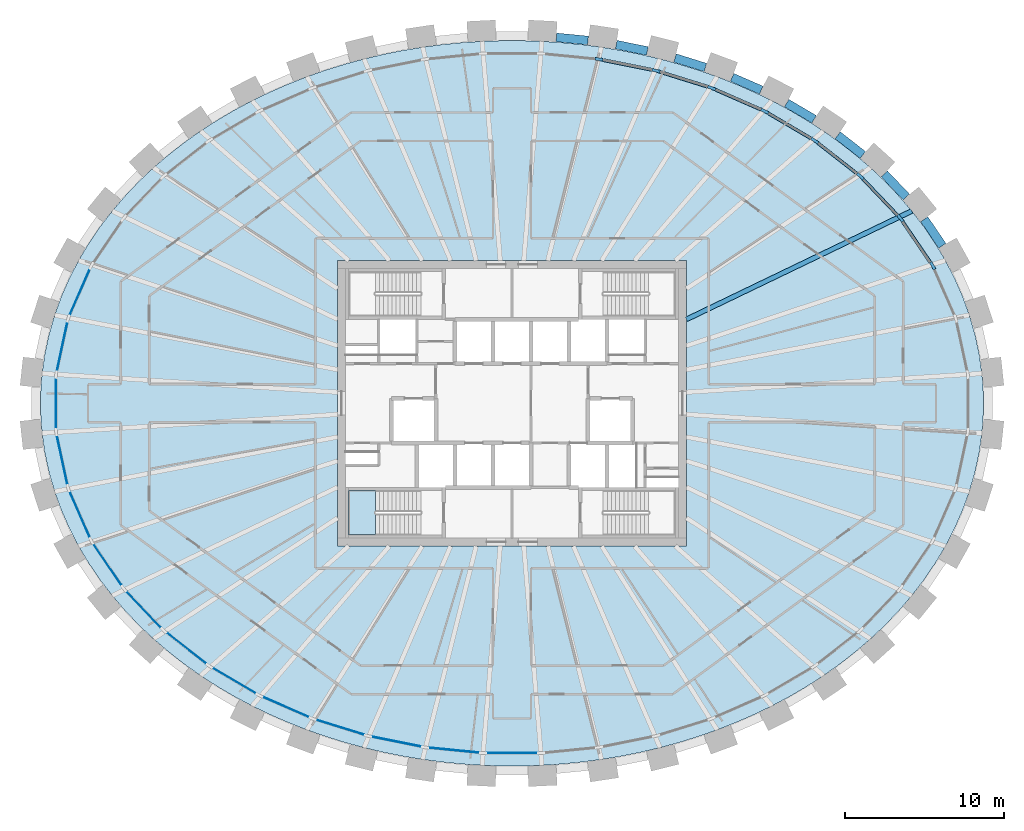
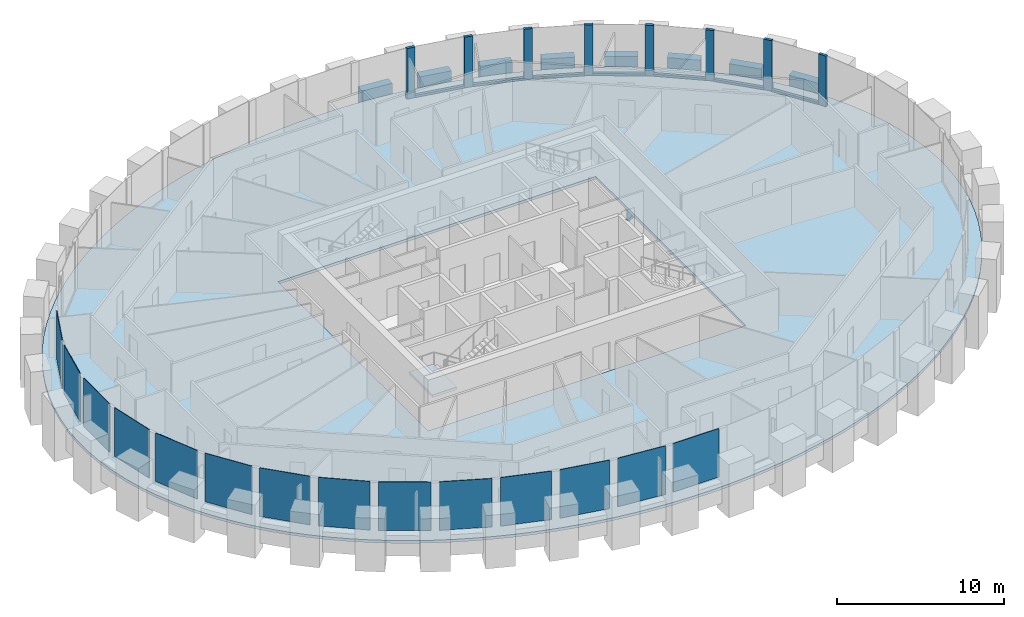
# One storey, part 4 of 12: 15 members, 14 plates, 9 beams, 2 slabs, 2 elements without a shape of their own.
"""IFC4 building model written with IfcOpenShell, lengths in metres."""

from ifc_helpers import new_model, si_unit, direction, frame, origin, origin_2d, place, context, subcontext, project, spatial, polyline, rectangle, i_section, outline, extrude, source, transform, mapped, material, layer, layer_set, material_profile, profile_set, type_object, element, aggregate, save


model = new_model("IFC4")

# Units and contexts
model_context = context("Model", 3, precision=1e-05, world=origin(), true_north=direction((0.0, 1.0)))
body_context = subcontext(model_context, "Body", "Model", "MODEL_VIEW")
ifc_project = project(units=[si_unit("LENGTHUNIT", "METRE"), si_unit("AREAUNIT", "SQUARE_METRE"), si_unit("VOLUMEUNIT", "CUBIC_METRE"), si_unit("PLANEANGLEUNIT", "RADIAN"), si_unit("MASSUNIT", "GRAM", prefix="KILO")], contexts=[model_context])

# Site, building, storey
site_placement = place(None, origin())
site = spatial("IfcSite", under=ifc_project, at=site_placement, CompositionType="ELEMENT")
building_placement = place(site_placement, origin())
building = spatial("IfcBuilding", under=site, at=building_placement, Name="Embergate Tower", CompositionType="ELEMENT")
storey_placement = place(building_placement, frame((0.0, 0.0, 313.0)))
storey = spatial("IfcBuildingStorey", under=building, at=storey_placement, Name="L73", CompositionType="ELEMENT", Elevation=313.0)

# Beams
ifc_material_1 = material(Name="Concrete C50", Category="concrete")
ifc_material_profile_1 = material_profile(ifc_material_1, rectangle(XDim=0.550048828125, YDim=1.5, at=origin_2d()), Name="RC 550x1500")
ifc_profile_set_1 = profile_set([ifc_material_profile_1], Name="Concrete C50")
beam_type_1 = type_object("IfcBeamType", Name="Spandrel beam RC 550x1500 C50", PredefinedType="BEAM", material=ifc_profile_set_1)
shared_shape_1 = source(origin(), body_context, "Body", "SweptSolid", [
    extrude(rectangle(XDim=0.550048828125, YDim=1.5, at=origin_2d()), origin(), (0.0, 0.0, 1.0), 2.02392578125),
])
beam_1_placement = place(storey_placement, frame((27.137939453125, 9.93505859375, 0.0), z_axis=(-0.562220937061, 0.826987072408, 0.0), x_axis=(-0.826987072408, -0.562220937061, 0.0)))
element("IfcBeam", 1, at=beam_1_placement, inside=storey, type_object=beam_type_1, Name="SPN-L73-02", PredefinedType="BEAM", context=body_context, shape_type="MappedRepresentation", body=[
    mapped(shared_shape_1, transform((0.0, 0.0, 0.0))),
])
shared_shape_2 = source(origin(), body_context, "Body", "SweptSolid", [
    extrude(rectangle(XDim=0.550048828125, YDim=1.5, at=origin_2d()), origin(), (0.0, 0.0, 1.0), 2.0185546875),
])
beam_2_placement = place(storey_placement, frame((24.868896484375, 13.009033203125, 0.0), z_axis=(-0.690032605045, 0.723778283714, 0.0), x_axis=(-0.723778283714, -0.690032605045, 0.0)))
element("IfcBeam", 2, at=beam_2_placement, inside=storey, type_object=beam_type_1, Name="SPN-L73-03", PredefinedType="BEAM", context=body_context, shape_type="MappedRepresentation", body=[
    mapped(shared_shape_2, transform((0.0, 0.0, 0.0))),
])
shared_shape_3 = source(origin(), body_context, "Body", "SweptSolid", [
    extrude(rectangle(XDim=0.550048828125, YDim=1.5, at=origin_2d()), origin(), (0.0, 0.0, 1.0), 2.011962890625),
])
beam_3_placement = place(storey_placement, frame((22.1279296875, 15.6640625, 0.0), z_axis=(-0.788259795351, 0.615342583471, 0.0), x_axis=(-0.615342583471, -0.788259795351, 0.0)))
element("IfcBeam", 3, at=beam_3_placement, inside=storey, type_object=beam_type_1, Name="SPN-L73-04", PredefinedType="BEAM", context=body_context, shape_type="MappedRepresentation", body=[
    mapped(shared_shape_3, transform((0.0, 0.0, 0.0))),
])
shared_shape_4 = source(origin(), body_context, "Body", "SweptSolid", [
    extrude(rectangle(XDim=0.550048828125, YDim=1.5, at=origin_2d()), origin(), (0.0, 0.0, 1.0), 2.008056640625),
])
beam_4_placement = place(storey_placement, frame((19.052978515625, 17.9140625, 0.0), z_axis=(-0.86201859197, 0.506876658663, 0.0), x_axis=(-0.506876658663, -0.86201859197, 0.0)))
element("IfcBeam", 4, at=beam_4_placement, inside=storey, type_object=beam_type_1, Name="SPN-L73-05", PredefinedType="BEAM", context=body_context, shape_type="MappedRepresentation", body=[
    mapped(shared_shape_4, transform((0.0, 0.0, 0.0))),
])
shared_shape_5 = source(origin(), body_context, "Body", "SweptSolid", [
    extrude(rectangle(XDim=0.550048828125, YDim=1.5, at=origin_2d()), origin(), (0.0, 0.0, 1.0), 2.0068359375),
])
beam_5_placement = place(storey_placement, frame((15.718994140625, 19.75, 0.0), z_axis=(-0.916455842534, 0.400135837793, 0.0), x_axis=(-0.400135837793, -0.916455842534, 0.0)))
element("IfcBeam", 5, at=beam_5_placement, inside=storey, type_object=beam_type_1, Name="SPN-L73-06", PredefinedType="BEAM", context=body_context, shape_type="MappedRepresentation", body=[
    mapped(shared_shape_5, transform((0.0, 0.0, 0.0))),
])
shared_shape_6 = source(origin(), body_context, "Body", "SweptSolid", [
    extrude(rectangle(XDim=0.550048828125, YDim=1.5, at=origin_2d()), origin(), (0.0, 0.0, 1.0), 2.0048828125),
])
beam_6_placement = place(storey_placement, frame((12.194091796875, 21.181884765625, 0.0), z_axis=(-0.954756929567, 0.297387298725, 0.0), x_axis=(-0.297387298725, -0.954756929567, 0.0)))
element("IfcBeam", 6, at=beam_6_placement, inside=storey, type_object=beam_type_1, Name="SPN-L73-07", PredefinedType="BEAM", context=body_context, shape_type="MappedRepresentation", body=[
    mapped(shared_shape_6, transform((0.0, 0.0, 0.0))),
])
shared_shape_7 = source(origin(), body_context, "Body", "SweptSolid", [
    extrude(rectangle(XDim=0.550048828125, YDim=1.5, at=origin_2d()), origin(), (0.0, 0.0, 1.0), 2.003173828125),
])
beam_7_placement = place(storey_placement, frame((8.535888671875, 22.222900390625, 0.0), z_axis=(-0.980364457571, 0.197194143753, 0.0), x_axis=(-0.197194143753, -0.980364457571, 0.0)))
element("IfcBeam", 7, at=beam_7_placement, inside=storey, type_object=beam_type_1, Name="SPN-L73-08", PredefinedType="BEAM", context=body_context, shape_type="MappedRepresentation", body=[
    mapped(shared_shape_7, transform((0.0, 0.0, 0.0))),
])
shared_shape_8 = source(origin(), body_context, "Body", "SweptSolid", [
    extrude(rectangle(XDim=0.550048828125, YDim=1.5, at=origin_2d()), origin(), (0.0, 0.0, 1.0), 2.00341796875),
])
beam_8_placement = place(storey_placement, frame((4.7919921875, 22.883056640625, 0.0), z_axis=(-0.995201107697, 0.097850678276, 0.0), x_axis=(-0.097850678276, -0.995201107697, 0.0)))
element("IfcBeam", 8, at=beam_8_placement, inside=storey, type_object=beam_type_1, Name="SPN-L73-09", PredefinedType="BEAM", context=body_context, shape_type="MappedRepresentation", body=[
    mapped(shared_shape_8, transform((0.0, 0.0, 0.0))),
])
ifc_material_2 = material(Name="Steel Q355B", Category="steel")
ifc_material_profile_2 = material_profile(ifc_material_2, i_section(OverallWidth=0.300048828125, OverallDepth=0.800048828125, WebThickness=0.013916015625, FlangeThickness=0.02587890625, FilletRadius=0.028076171875, at=origin_2d()), Name="HN 800x300x14x26")
ifc_profile_set_2 = profile_set([ifc_material_profile_2], Name="Steel Q355 grade B")
beam_type_2 = type_object("IfcBeamType", Name="Radial girder HN 800x300x14x26", PredefinedType="BEAM", material=ifc_profile_set_2)
shared_shape_9 = source(origin(), body_context, "Body", "SweptSolid", [
    extrude(i_section(OverallWidth=0.300048828125, OverallDepth=0.800048828125, WebThickness=0.013916015625, FlangeThickness=0.02587890625, FilletRadius=0.028076171875, at=origin_2d()), origin(), (0.0, 0.0, 1.0), 15.775634765625),
])
beam_9_placement = place(storey_placement, frame((25.216064453125, 12.131103515625, -0.60009765625), z_axis=(-0.901141870193, -0.433524312795, 0.0), x_axis=(0.433524312795, -0.901141870193, 0.0)))
element("IfcBeam", 9, at=beam_9_placement, inside=storey, type_object=beam_type_2, Name="GIR-L73-03", PredefinedType="BEAM", context=body_context, shape_type="MappedRepresentation", body=[
    mapped(shared_shape_9, transform((0.0, 0.0, 0.0))),
])

# Curtain wall, members
ifc_material_3 = material(Name="Aluminium and glass", Category="aluminium")
curtain_wall_type = type_object("IfcCurtainWallType", Name="Recessed office glazing", PredefinedType="NOTDEFINED", material=ifc_material_3)
curtain_wall_placement = place(storey_placement, origin())
curtain_wall = element("IfcCurtainWall", 10, at=curtain_wall_placement, inside=storey, type_object=curtain_wall_type, Name="Recessed office glazing ring", ObjectType="RECESSED OFFICE GLAZING", PredefinedType="USERDEFINED")
ifc_material_4 = material(Name="Aluminium, thermally broken", Category="aluminium")
ifc_material_profile_3 = material_profile(ifc_material_4, rectangle(XDim=0.179931640625, YDim=0.52001953125, at=origin_2d()), Name="AL 520x180")
ifc_profile_set_3 = profile_set([ifc_material_profile_3], Name="Aluminium, thermally broken")
member_type_1 = type_object("IfcMemberType", Name="Office mullion", PredefinedType="MULLION", material=ifc_profile_set_3)
shared_shape_10 = source(origin(), body_context, "Body", "SweptSolid", [
    extrude(rectangle(XDim=0.179931640625, YDim=0.52001953125, at=origin_2d()), origin(), (0.0, 0.0, 1.0), 3.699951171875),
])
member_1_placement = place(storey_placement, frame((26.53173828125, 8.67236328125, 0.0), z_axis=(0.0, 0.0, 1.0), x_axis=(-0.874991756265, -0.484137817639, 0.0)))
member_1 = element("IfcMember", 11, at=member_1_placement, type_object=member_type_1, Name="CW mullion 3", PredefinedType="MULLION", context=body_context, shape_type="MappedRepresentation", body=[
    mapped(shared_shape_10, transform((0.0, 0.0, 0.0))),
])
member_2_placement = place(storey_placement, frame((24.48681640625, 11.6796875, 0.0), z_axis=(0.0, 0.0, 1.0), x_axis=(-0.777861596203, -0.628435626897, 0.0)))
member_2 = element("IfcMember", 12, at=member_2_placement, type_object=member_type_1, Name="CW mullion 4", PredefinedType="MULLION", context=body_context, shape_type="MappedRepresentation", body=[
    mapped(shared_shape_10, transform((0.0, 0.0, 0.0))),
])
member_3_placement = place(storey_placement, frame((21.97119140625, 14.3173828125, 0.0), z_axis=(0.0, 0.0, 1.0), x_axis=(-0.671217477801, -0.741260478843, 0.0)))
member_3 = element("IfcMember", 13, at=member_3_placement, type_object=member_type_1, Name="CW mullion 5", PredefinedType="MULLION", context=body_context, shape_type="MappedRepresentation", body=[
    mapped(shared_shape_10, transform((0.0, 0.0, 0.0))),
])
member_4_placement = place(storey_placement, frame((19.092041015625, 16.564697265625, 0.0), z_axis=(0.0, 0.0, 1.0), x_axis=(-0.562210401679, -0.82699423471, 0.0)))
member_4 = element("IfcMember", 14, at=member_4_placement, type_object=member_type_1, Name="CW mullion 6", PredefinedType="MULLION", context=body_context, shape_type="MappedRepresentation", body=[
    mapped(shared_shape_10, transform((0.0, 0.0, 0.0))),
])
member_5_placement = place(storey_placement, frame((15.9384765625, 18.418701171875, 0.0), z_axis=(0.0, 0.0, 1.0), x_axis=(-0.454506716612, -0.890743310138, 0.0)))
member_5 = element("IfcMember", 15, at=member_5_placement, type_object=member_type_1, Name="CW mullion 7", PredefinedType="MULLION", context=body_context, shape_type="MappedRepresentation", body=[
    mapped(shared_shape_10, transform((0.0, 0.0, 0.0))),
])
member_6_placement = place(storey_placement, frame((12.582763671875, 19.885986328125, 0.0), z_axis=(0.0, 0.0, 1.0), x_axis=(-0.349501047589, -0.936935973124, 0.0)))
member_6 = element("IfcMember", 16, at=member_6_placement, type_object=member_type_1, Name="CW mullion 8", PredefinedType="MULLION", context=body_context, shape_type="MappedRepresentation", body=[
    mapped(shared_shape_10, transform((0.0, 0.0, 0.0))),
])
member_7_placement = place(storey_placement, frame((9.082763671875, 20.97607421875, 0.0), z_axis=(0.0, 0.0, 1.0), x_axis=(-0.247310190257, -0.968936360034, 0.0)))
member_7 = element("IfcMember", 17, at=member_7_placement, type_object=member_type_1, Name="CW mullion 9", PredefinedType="MULLION", context=body_context, shape_type="MappedRepresentation", body=[
    mapped(shared_shape_10, transform((0.0, 0.0, 0.0))),
])
member_8_placement = place(storey_placement, frame((5.486328125, 21.697265625, 0.0), z_axis=(0.0, 0.0, 1.0), x_axis=(-0.147410656556, -0.989075375456, 0.0)))
member_8 = element("IfcMember", 18, at=member_8_placement, type_object=member_type_1, Name="CW mullion 10", PredefinedType="MULLION", context=body_context, shape_type="MappedRepresentation", body=[
    mapped(shared_shape_10, transform((0.0, 0.0, 0.0))),
])
ifc_material_profile_4 = material_profile(ifc_material_4, rectangle(XDim=0.179931640625, YDim=0.14990234375, at=origin_2d()), Name="AL 150x180")
ifc_profile_set_4 = profile_set([ifc_material_profile_4], Name="Aluminium, thermally broken")
member_type_2 = type_object("IfcMemberType", Name="Office sill transom", PredefinedType="USERDEFINED", material=ifc_profile_set_4)
shared_shape_11 = source(origin(), body_context, "Body", "SweptSolid", [
    extrude(rectangle(XDim=0.179931640625, YDim=0.14990234375, at=origin_2d()), origin(), (0.0, 0.0, 1.0), 3.116455078125),
])
member_9_placement = place(storey_placement, frame((26.385498046875, 8.887451171875, 0.074951171875), z_axis=(-0.562305735985, 0.826929416141, 0.0), x_axis=(-0.826929416141, -0.562305735985, 0.0)))
member_9 = element("IfcMember", 19, at=member_9_placement, type_object=member_type_2, Name="CW transom 3.1", ObjectType="TRANSOM", PredefinedType="USERDEFINED", context=body_context, shape_type="MappedRepresentation", body=[
    mapped(shared_shape_11, transform((0.0, 0.0, 0.0))),
])
shared_shape_12 = source(origin(), body_context, "Body", "SweptSolid", [
    extrude(rectangle(XDim=0.179931640625, YDim=0.14990234375, at=origin_2d()), origin(), (0.0, 0.0, 1.0), 3.125244140625),
])
member_10_placement = place(storey_placement, frame((24.307373046875, 11.86767578125, 0.074951171875), z_axis=(-0.69011149361, 0.723703065067, 0.0), x_axis=(-0.723703065067, -0.69011149361, 0.0)))
member_10 = element("IfcMember", 20, at=member_10_placement, type_object=member_type_2, Name="CW transom 4.1", ObjectType="TRANSOM", PredefinedType="USERDEFINED", context=body_context, shape_type="MappedRepresentation", body=[
    mapped(shared_shape_12, transform((0.0, 0.0, 0.0))),
])
shared_shape_13 = source(origin(), body_context, "Body", "SweptSolid", [
    extrude(rectangle(XDim=0.179931640625, YDim=0.14990234375, at=origin_2d()), origin(), (0.0, 0.0, 1.0), 3.132080078125),
])
member_11_placement = place(storey_placement, frame((21.76611328125, 14.477294921875, 0.074951171875), z_axis=(-0.788280741955, 0.615315749727, 0.0), x_axis=(-0.615315749727, -0.788280741955, 0.0)))
member_11 = element("IfcMember", 21, at=member_11_placement, type_object=member_type_2, Name="CW transom 5.1", ObjectType="TRANSOM", PredefinedType="USERDEFINED", context=body_context, shape_type="MappedRepresentation", body=[
    mapped(shared_shape_13, transform((0.0, 0.0, 0.0))),
])
shared_shape_14 = source(origin(), body_context, "Body", "SweptSolid", [
    extrude(rectangle(XDim=0.179931640625, YDim=0.14990234375, at=origin_2d()), origin(), (0.0, 0.0, 1.0), 3.13818359375),
])
member_12_placement = place(storey_placement, frame((18.867919921875, 16.6962890625, 0.074951171875), z_axis=(-0.862044187524, 0.506833127129, 0.0), x_axis=(-0.506833127129, -0.862044187524, 0.0)))
member_12 = element("IfcMember", 22, at=member_12_placement, type_object=member_type_2, Name="CW transom 6.1", ObjectType="TRANSOM", PredefinedType="USERDEFINED", context=body_context, shape_type="MappedRepresentation", body=[
    mapped(shared_shape_14, transform((0.0, 0.0, 0.0))),
])
shared_shape_15 = source(origin(), body_context, "Body", "SweptSolid", [
    extrude(rectangle(XDim=0.179931640625, YDim=0.14990234375, at=origin_2d()), origin(), (0.0, 0.0, 1.0), 3.142578125),
])
member_13_placement = place(storey_placement, frame((15.7001953125, 18.522705078125, 0.074951171875), z_axis=(-0.916239332715, 0.400631358217, 0.0), x_axis=(-0.400631358217, -0.916239332715, 0.0)))
member_13 = element("IfcMember", 23, at=member_13_placement, type_object=member_type_2, Name="CW transom 7.1", ObjectType="TRANSOM", PredefinedType="USERDEFINED", context=body_context, shape_type="MappedRepresentation", body=[
    mapped(shared_shape_15, transform((0.0, 0.0, 0.0))),
])
shared_shape_16 = source(origin(), body_context, "Body", "SweptSolid", [
    extrude(rectangle(XDim=0.179931640625, YDim=0.14990234375, at=origin_2d()), origin(), (0.0, 0.0, 1.0), 3.145751953125),
])
member_14_placement = place(storey_placement, frame((12.33447265625, 19.96337890625, 0.074951171875), z_axis=(-0.954775040365, 0.297329148077, 0.0), x_axis=(-0.297329148077, -0.954775040365, 0.0)))
member_14 = element("IfcMember", 24, at=member_14_placement, type_object=member_type_2, Name="CW transom 8.1", ObjectType="TRANSOM", PredefinedType="USERDEFINED", context=body_context, shape_type="MappedRepresentation", body=[
    mapped(shared_shape_16, transform((0.0, 0.0, 0.0))),
])
shared_shape_17 = source(origin(), body_context, "Body", "SweptSolid", [
    extrude(rectangle(XDim=0.179931640625, YDim=0.14990234375, at=origin_2d()), origin(), (0.0, 0.0, 1.0), 3.148193359375),
])
member_15_placement = place(storey_placement, frame((8.827880859375, 21.027099609375, 0.074951171875), z_axis=(-0.980485111411, 0.19659335264, 0.0), x_axis=(-0.19659335264, -0.980485111411, 0.0)))
member_15 = element("IfcMember", 25, at=member_15_placement, type_object=member_type_2, Name="CW transom 9.1", ObjectType="TRANSOM", PredefinedType="USERDEFINED", context=body_context, shape_type="MappedRepresentation", body=[
    mapped(shared_shape_17, transform((0.0, 0.0, 0.0))),
])

# Slab
ifc_material_5 = material(Name="Concrete C40", Category="concrete")
ifc_layer_1 = layer(ifc_material_5, 0.199951171875)
ifc_layer_set_1 = layer_set([ifc_layer_1], Name="Concrete C40")
slab_type_1 = type_object("IfcSlabType", Name="Composite floor slab C40 200", PredefinedType="FLOOR", material=ifc_layer_set_1)
shared_shape_18 = source(origin(), body_context, "Body", "SweptSolid", [
    extrude(outline(polyline([(0.0, 0.0), (1.2578125, 0.0), (2.514892578125, 0.041015625), (3.77197265625, 0.123046875), (5.02392578125, 0.24609375), (6.267822265625, 0.41015625), (7.513916015625, 0.615966796875), (8.746826171875, 0.864013671875), (9.9658203125, 1.152099609375), (11.18701171875, 1.485107421875), (12.387939453125, 1.859130859375), (13.56591796875, 2.27294921875), (14.746826171875, 2.737060546875), (15.89892578125, 3.240966796875), (17.02099609375, 3.783935546875), (18.142822265625, 4.382080078125), (19.226806640625, 5.02001953125), (20.27197265625, 5.695068359375), (21.309814453125, 6.43212890625), (22.301025390625, 7.205078125), (23.243896484375, 8.01416015625), (24.1689453125, 8.89013671875), (25.035888671875, 9.800048828125), (25.844970703125, 10.741943359375), (26.619873046875, 11.7529296875), (27.326904296875, 12.7919921875), (27.9638671875, 13.858154296875), (28.546875, 14.987060546875), (29.052001953125, 16.137939453125), (29.476806640625, 17.30810546875), (29.827880859375, 18.52392578125), (30.091796875, 19.751953125), (30.268798828125, 20.989990234375), (30.35888671875, 22.2451171875), (30.35888671875, 23.5009765625), (30.268798828125, 24.756103515625), (30.091796875, 25.994140625), (29.827880859375, 27.22216796875), (29.476806640625, 28.43798828125), (29.052001953125, 29.608154296875), (28.546875, 30.759033203125), (27.9638671875, 31.887939453125), (27.326904296875, 32.9541015625), (26.619873046875, 33.9931640625), (25.844970703125, 35.004150390625), (25.035888671875, 35.946044921875), (24.1689453125, 36.85595703125), (23.243896484375, 37.73193359375), (22.301025390625, 38.541015625), (21.309814453125, 39.31396484375), (20.27197265625, 40.051025390625), (19.226806640625, 40.72607421875), (18.142822265625, 41.364013671875), (17.02099609375, 41.962158203125), (15.89892578125, 42.505126953125), (14.746826171875, 43.009033203125), (13.56591796875, 43.47314453125), (12.387939453125, 43.886962890625), (11.18701171875, 44.260986328125), (9.9658203125, 44.593994140625), (8.746826171875, 44.882080078125), (7.513916015625, 45.130126953125), (6.267822265625, 45.3359375), (5.02392578125, 45.5), (3.77197265625, 45.623046875), (2.514892578125, 45.705078125), (1.2578125, 45.74609375), (0.0, 45.74609375), (-1.257080078125, 45.705078125), (-2.51416015625, 45.623046875), (-3.76611328125, 45.5), (-5.010009765625, 45.3359375), (-6.256103515625, 45.130126953125), (-7.489013671875, 44.882080078125), (-8.7080078125, 44.593994140625), (-9.92919921875, 44.260986328125), (-11.130126953125, 43.886962890625), (-12.30810546875, 43.47314453125), (-13.489013671875, 43.009033203125), (-14.64111328125, 42.505126953125), (-15.76318359375, 41.962158203125), (-16.885009765625, 41.364013671875), (-17.968994140625, 40.72607421875), (-19.01416015625, 40.051025390625), (-20.052001953125, 39.31396484375), (-21.043212890625, 38.541015625), (-21.986083984375, 37.73193359375), (-22.9111328125, 36.85595703125), (-23.778076171875, 35.946044921875), (-24.587158203125, 35.004150390625), (-25.362060546875, 33.9931640625), (-26.069091796875, 32.9541015625), (-26.7060546875, 31.887939453125), (-27.2890625, 30.759033203125), (-27.794189453125, 29.608154296875), (-28.218994140625, 28.43798828125), (-28.570068359375, 27.22216796875), (-28.833984375, 25.994140625), (-29.010986328125, 24.756103515625), (-29.10107421875, 23.5009765625), (-29.10107421875, 22.2451171875), (-29.010986328125, 20.989990234375), (-28.833984375, 19.751953125), (-28.570068359375, 18.52392578125), (-28.218994140625, 17.30810546875), (-27.794189453125, 16.137939453125), (-27.2890625, 14.987060546875), (-26.7060546875, 13.858154296875), (-26.069091796875, 12.7919921875), (-25.362060546875, 11.7529296875), (-24.587158203125, 10.741943359375), (-23.778076171875, 9.800048828125), (-22.9111328125, 8.89013671875), (-21.986083984375, 8.01416015625), (-21.043212890625, 7.205078125), (-20.052001953125, 6.43212890625), (-19.01416015625, 5.695068359375), (-17.968994140625, 5.02001953125), (-16.885009765625, 4.382080078125), (-15.76318359375, 3.783935546875), (-14.64111328125, 3.240966796875), (-13.489013671875, 2.737060546875), (-12.30810546875, 2.27294921875), (-11.130126953125, 1.859130859375), (-9.92919921875, 1.485107421875), (-8.7080078125, 1.152099609375), (-7.489013671875, 0.864013671875), (-6.256103515625, 0.615966796875), (-5.010009765625, 0.41015625), (-3.76611328125, 0.24609375), (-2.51416015625, 0.123046875), (-1.257080078125, 0.041015625), (0.0, 0.0)]), holes=[polyline([(-10.37109375, 13.873046875), (-10.37109375, 31.873046875), (11.62890625, 31.873046875), (11.62890625, 13.873046875), (-10.37109375, 13.873046875)])]), origin(), (0.0, 0.0, 1.0), 0.199951171875),
])
slab_1_placement = place(storey_placement, frame((-0.62890625, -22.873046875, -0.199951171875)))
element("IfcSlab", 26, at=slab_1_placement, inside=storey, type_object=slab_type_1, Name="SLB-L73-00", PredefinedType="FLOOR", context=body_context, shape_type="MappedRepresentation", body=[
    mapped(shared_shape_18, transform((0.0, 0.0, 0.0))),
])

# Plate
ifc_material_6 = material(Name="Triple glazing, low-emissivity coating", Category="glass")
ifc_layer_2 = layer(ifc_material_6, 0.035888671875)
ifc_layer_set_2 = layer_set([ifc_layer_2], Name="Triple glazing, low-emissivity coating")
plate_type = type_object("IfcPlateType", Name="Office glazing unit", PredefinedType="CURTAIN_PANEL", material=ifc_layer_set_2)
shared_shape_19 = source(origin(), body_context, "Body", "SweptSolid", [
    extrude(rectangle(XDim=3.101318359375, YDim=0.035888671875, at=origin_2d()), origin(), (0.0, 0.0, 1.0), 3.550048828125),
])
plate_1_placement = place(storey_placement, frame((-28.3701171875, 3.57958984375, 0.14990234375), z_axis=(0.0, 0.0, 1.0), x_axis=(-0.210400097438, -0.977615363524, 0.0)))
plate_1 = element("IfcPlate", 27, at=plate_1_placement, type_object=plate_type, Name="CW panel 21.1", PredefinedType="CURTAIN_PANEL", context=body_context, shape_type="MappedRepresentation", body=[
    mapped(shared_shape_19, transform((0.0, 0.0, 0.0))),
])

plate_2_placement = place(storey_placement, frame((-28.3701171875, -3.57958984375, 0.14990234375), z_axis=(0.0, 0.0, 1.0), x_axis=(0.210400097438, -0.977615363524, 0.0)))
plate_2 = element("IfcPlate", 28, at=plate_2_placement, type_object=plate_type, Name="CW panel 23.1", PredefinedType="CURTAIN_PANEL", context=body_context, shape_type="MappedRepresentation", body=[
    mapped(shared_shape_19, transform((0.0, 0.0, 0.0))),
])

shared_shape_20 = source(origin(), body_context, "Body", "SweptSolid", [
    extrude(rectangle(XDim=3.108154296875, YDim=0.035888671875, at=origin_2d()), origin(), (0.0, 0.0, 1.0), 3.550048828125),
])
plate_3_placement = place(storey_placement, frame((-27.260498046875, 7.010986328125, 0.14990234375), z_axis=(0.0, 0.0, 1.0), x_axis=(-0.401653699516, -0.915791627864, 0.0)))
plate_3 = element("IfcPlate", 29, at=plate_3_placement, type_object=plate_type, Name="CW panel 20.1", PredefinedType="CURTAIN_PANEL", context=body_context, shape_type="MappedRepresentation", body=[
    mapped(shared_shape_20, transform((0.0, 0.0, 0.0))),
])

plate_4_placement = place(storey_placement, frame((-27.260498046875, -7.010986328125, 0.14990234375), z_axis=(0.0, 0.0, 1.0), x_axis=(0.401653699516, -0.915791627864, 0.0)))
plate_4 = element("IfcPlate", 30, at=plate_4_placement, type_object=plate_type, Name="CW panel 24.1", PredefinedType="CURTAIN_PANEL", context=body_context, shape_type="MappedRepresentation", body=[
    mapped(shared_shape_20, transform((0.0, 0.0, 0.0))),
])

shared_shape_21 = source(origin(), body_context, "Body", "SweptSolid", [
    extrude(rectangle(XDim=3.11669921875, YDim=0.035888671875, at=origin_2d()), origin(), (0.0, 0.0, 1.0), 3.550048828125),
])
plate_5_placement = place(storey_placement, frame((-25.50927734375, -10.176025390625, 0.14990234375), z_axis=(0.0, 0.0, 1.0), x_axis=(0.562343185136, -0.826903949762, 0.0)))
plate_5 = element("IfcPlate", 31, at=plate_5_placement, type_object=plate_type, Name="CW panel 25.1", PredefinedType="CURTAIN_PANEL", context=body_context, shape_type="MappedRepresentation", body=[
    mapped(shared_shape_21, transform((0.0, 0.0, 0.0))),
])

shared_shape_22 = source(origin(), body_context, "Body", "SweptSolid", [
    extrude(rectangle(XDim=3.125, YDim=0.035888671875, at=origin_2d()), origin(), (0.0, 0.0, 1.0), 3.550048828125),
])
plate_6_placement = place(storey_placement, frame((-23.22900390625, -12.99853515625, 0.14990234375), z_axis=(0.0, 0.0, 1.0), x_axis=(0.690133784465, -0.723681808215, 0.0)))
plate_6 = element("IfcPlate", 32, at=plate_6_placement, type_object=plate_type, Name="CW panel 26.1", PredefinedType="CURTAIN_PANEL", context=body_context, shape_type="MappedRepresentation", body=[
    mapped(shared_shape_22, transform((0.0, 0.0, 0.0))),
])

shared_shape_23 = source(origin(), body_context, "Body", "SweptSolid", [
    extrude(rectangle(XDim=3.13232421875, YDim=0.035888671875, at=origin_2d()), origin(), (0.0, 0.0, 1.0), 3.550048828125),
])
plate_7_placement = place(storey_placement, frame((-20.531494140625, -15.44091796875, 0.14990234375), z_axis=(0.0, 0.0, 1.0), x_axis=(0.788319045413, -0.615266676035, 0.0)))
plate_7 = element("IfcPlate", 33, at=plate_7_placement, type_object=plate_type, Name="CW panel 27.1", PredefinedType="CURTAIN_PANEL", context=body_context, shape_type="MappedRepresentation", body=[
    mapped(shared_shape_23, transform((0.0, 0.0, 0.0))),
])

shared_shape_24 = source(origin(), body_context, "Body", "SweptSolid", [
    extrude(rectangle(XDim=3.13818359375, YDim=0.035888671875, at=origin_2d()), origin(), (0.0, 0.0, 1.0), 3.550048828125),
])
plate_8_placement = place(storey_placement, frame((-17.515380859375, -17.49169921875, 0.14990234375), z_axis=(0.0, 0.0, 1.0), x_axis=(0.862051398678, -0.50682086188, 0.0)))
plate_8 = element("IfcPlate", 34, at=plate_8_placement, type_object=plate_type, Name="CW panel 28.1", PredefinedType="CURTAIN_PANEL", context=body_context, shape_type="MappedRepresentation", body=[
    mapped(shared_shape_24, transform((0.0, 0.0, 0.0))),
])

shared_shape_25 = source(origin(), body_context, "Body", "SweptSolid", [
    extrude(rectangle(XDim=3.142578125, YDim=0.035888671875, at=origin_2d()), origin(), (0.0, 0.0, 1.0), 3.550048828125),
])
plate_9_placement = place(storey_placement, frame((-14.260498046875, -19.15234375, 0.14990234375), z_axis=(0.0, 0.0, 1.0), x_axis=(0.916234813243, -0.400641694037, 0.0)))
plate_9 = element("IfcPlate", 35, at=plate_9_placement, type_object=plate_type, Name="CW panel 29.1", PredefinedType="CURTAIN_PANEL", context=body_context, shape_type="MappedRepresentation", body=[
    mapped(shared_shape_25, transform((0.0, 0.0, 0.0))),
])

shared_shape_26 = source(origin(), body_context, "Body", "SweptSolid", [
    extrude(rectangle(XDim=3.145751953125, YDim=0.035888671875, at=origin_2d()), origin(), (0.0, 0.0, 1.0), 3.550048828125),
])
plate_10_placement = place(storey_placement, frame((-10.832763671875, -20.430908203125, 0.14990234375), z_axis=(0.0, 0.0, 1.0), x_axis=(0.954771179262, -0.297341546458, 0.0)))
plate_10 = element("IfcPlate", 36, at=plate_10_placement, type_object=plate_type, Name="CW panel 30.1", PredefinedType="CURTAIN_PANEL", context=body_context, shape_type="MappedRepresentation", body=[
    mapped(shared_shape_26, transform((0.0, 0.0, 0.0))),
])

shared_shape_27 = source(origin(), body_context, "Body", "SweptSolid", [
    extrude(rectangle(XDim=3.14794921875, YDim=0.035888671875, at=origin_2d()), origin(), (0.0, 0.0, 1.0), 3.550048828125),
])
plate_11_placement = place(storey_placement, frame((-7.28466796875, -21.336669921875, 0.14990234375), z_axis=(0.0, 0.0, 1.0), x_axis=(0.980475564207, -0.196640962142, 0.0)))
plate_11 = element("IfcPlate", 37, at=plate_11_placement, type_object=plate_type, Name="CW panel 31.1", PredefinedType="CURTAIN_PANEL", context=body_context, shape_type="MappedRepresentation", body=[
    mapped(shared_shape_27, transform((0.0, 0.0, 0.0))),
])

shared_shape_28 = source(origin(), body_context, "Body", "SweptSolid", [
    extrude(rectangle(XDim=3.149169921875, YDim=0.035888671875, at=origin_2d()), origin(), (0.0, 0.0, 1.0), 3.550048828125),
])
plate_12_placement = place(storey_placement, frame((-3.66064453125, -21.876708984375, 0.14990234375), z_axis=(0.0, 0.0, 1.0), x_axis=(0.995203184788, -0.097829550688, 0.0)))
plate_12 = element("IfcPlate", 38, at=plate_12_placement, type_object=plate_type, Name="CW panel 32.1", PredefinedType="CURTAIN_PANEL", context=body_context, shape_type="MappedRepresentation", body=[
    mapped(shared_shape_28, transform((0.0, 0.0, 0.0))),
])

shared_shape_29 = source(origin(), body_context, "Body", "SweptSolid", [
    extrude(rectangle(XDim=3.149658203125, YDim=0.035888671875, at=origin_2d()), origin(), (0.0, 0.0, 1.0), 3.550048828125),
])
plate_13_placement = place(storey_placement, frame((0.0, -22.05615234375, 0.14990234375), z_axis=(0.0, 0.0, 1.0), x_axis=(1.0, 0.0, 0.0)))
plate_13 = element("IfcPlate", 39, at=plate_13_placement, type_object=plate_type, Name="CW panel 33.1", PredefinedType="CURTAIN_PANEL", context=body_context, shape_type="MappedRepresentation", body=[
    mapped(shared_shape_29, transform((0.0, 0.0, 0.0))),
])

shared_shape_30 = source(origin(), body_context, "Body", "SweptSolid", [
    extrude(rectangle(XDim=3.098876953125, YDim=0.035888671875, at=origin_2d()), origin(), (0.0, 0.0, 1.0), 3.550048828125),
])
plate_14_placement = place(storey_placement, frame((-28.7509765625, 0.0, 0.14990234375), z_axis=(0.0, 0.0, 1.0), x_axis=(0.0, -1.0, 0.0)))
plate_14 = element("IfcPlate", 40, at=plate_14_placement, type_object=plate_type, Name="CW panel 22.1", PredefinedType="CURTAIN_PANEL", context=body_context, shape_type="MappedRepresentation", body=[
    mapped(shared_shape_30, transform((0.0, 0.0, 0.0))),
])

aggregate(curtain_wall, [member_1, member_2, member_3, member_4, member_5, member_6, member_7, member_8, member_9, member_10, member_11, member_12, member_13, member_14, member_15, plate_3, plate_1, plate_14, plate_2, plate_4, plate_5, plate_6, plate_7, plate_8, plate_9, plate_10, plate_11, plate_12, plate_13])

# Stair, slab
ifc_material_7 = material(Name="Exit stair")
stair_type = type_object("IfcStairType", Name="Exit stair", PredefinedType="HALF_TURN_STAIR", material=ifc_material_7)
stair_placement = place(storey_placement, origin())
stair = element("IfcStair", 41, at=stair_placement, inside=storey, type_object=stair_type, Name="L73 Exit stair 3", PredefinedType="HALF_TURN_STAIR")
ifc_layer_3 = layer(ifc_material_5, 0.199951171875)
ifc_layer_set_3 = layer_set([ifc_layer_3], Name="Concrete C40")
slab_type_2 = type_object("IfcSlabType", Name="Stair landing reinforced concrete", PredefinedType="LANDING", material=ifc_layer_set_3)
shared_shape_31 = source(origin(), body_context, "Body", "SweptSolid", [
    extrude(outline(polyline([(0.0, 0.0), (1.68994140625, 0.0), (1.68994140625, 2.800048828125), (0.0, 2.800048828125), (0.0, 0.0)])), origin(), (0.0, 0.0, 1.0), 0.199951171875),
])
slab_2_placement = place(storey_placement, frame((-10.300048828125, -8.300048828125, 1.75)))
slab_2 = element("IfcSlab", 42, at=slab_2_placement, type_object=slab_type_2, Name="ST3 landing 1", PredefinedType="LANDING", context=body_context, shape_type="MappedRepresentation", body=[
    mapped(shared_shape_31, transform((0.0, 0.0, 0.0))),
])
aggregate(stair, [slab_2])

save(model, "model.ifc")
